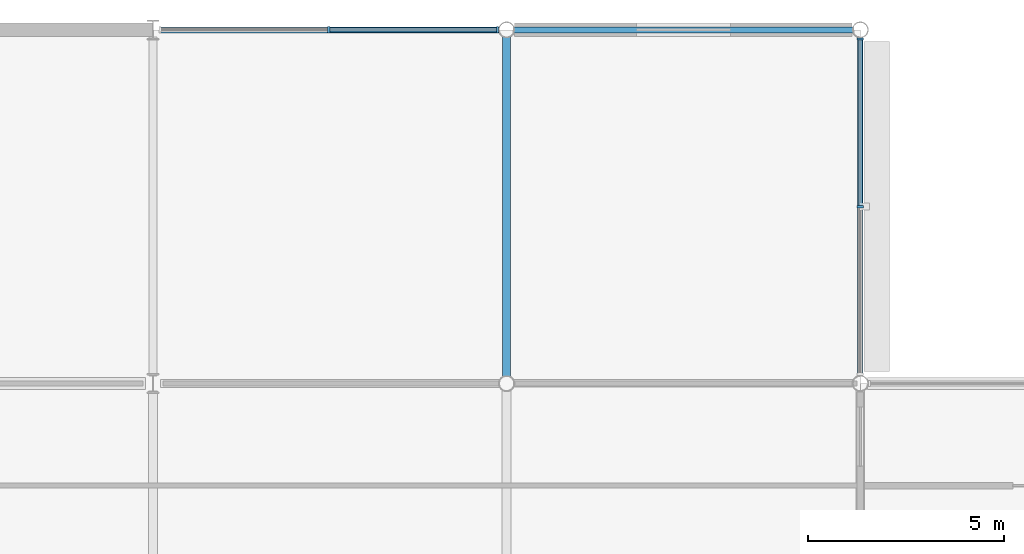
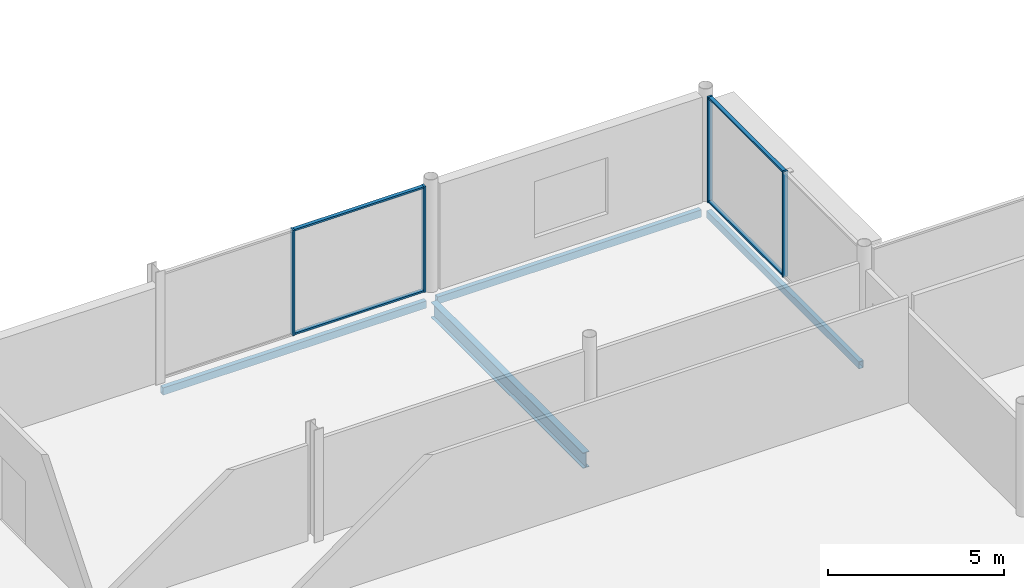
# One storey, part 34 of 96: 8 members, 4 beams, 2 elements without a shape of their own.
"""IFC4 building model written with IfcOpenShell, lengths in metres."""

from ifc_helpers import new_model, si_unit, direction, frame, origin, origin_2d, place, context, subcontext, project, spatial, rectangle, hollow_rectangle, i_section, extrude, material, layer, layer_set, material_profile, profile_set, type_object, element, aggregate, save


model = new_model("IFC4")

# Units and contexts
model_context = context("Model", 3, precision=1e-05, world=origin(), true_north=direction((0.0, 1.0)))
body_context = subcontext(model_context, "Body", "Model", "MODEL_VIEW")
ifc_project = project(units=[si_unit("LENGTHUNIT", "METRE"), si_unit("AREAUNIT", "SQUARE_METRE"), si_unit("VOLUMEUNIT", "CUBIC_METRE"), si_unit("PLANEANGLEUNIT", "RADIAN"), si_unit("MASSUNIT", "GRAM", prefix="KILO")], contexts=[model_context])

# Site, building, storey
site_placement = place(None, origin())
site = spatial("IfcSite", under=ifc_project, at=site_placement, CompositionType="ELEMENT")
building_placement = place(site_placement, origin())
building = spatial("IfcBuilding", under=site, at=building_placement, Name="Kisiwana Market Hall", CompositionType="ELEMENT")
storey_placement = place(building_placement, frame((0.0, 0.0, 25.5)))
storey = spatial("IfcBuildingStorey", under=building, at=storey_placement, Name="L05", CompositionType="ELEMENT", Elevation=25.5)

# Beams
ifc_material_1 = material(Name="Steel S355", Category="steel")
ifc_material_profile_1 = material_profile(ifc_material_1, i_section(OverallWidth=0.209228515625, OverallDepth=0.533203125, WebThickness=0.010009765625, FlangeThickness=0.015625, at=origin_2d()), Name="UB 533x210x92")
ifc_profile_set_1 = profile_set([ifc_material_profile_1], Name="Steel S355")
beam_type_1 = type_object("IfcBeamType", Name="BM-GIRD-UB533", PredefinedType="BEAM", material=ifc_profile_set_1)
beam_1_placement = place(storey_placement, frame((36.0, 102.18017578125, -0.58154296875), z_axis=(0.0, 1.0, 0.0), x_axis=(-1.0, 0.0, 0.0)))
element("IfcBeam", 1, at=beam_1_placement, inside=storey, type_object=beam_type_1, Name="Primary girder B-1536", PredefinedType="BEAM", context=body_context, shape_type="SweptSolid", body=[
    extrude(i_section(OverallWidth=0.209228515625, OverallDepth=0.533203125, WebThickness=0.010009765625, FlangeThickness=0.015625, at=origin_2d()), origin(), (0.0, 0.0, 1.0), 8.6396484375),
])
ifc_material_2 = material(Name="Steel S355", Category="steel")
ifc_material_profile_2 = material_profile(ifc_material_2, hollow_rectangle(XDim=0.14990234375, YDim=0.25, WallThickness=0.010009765625, at=origin_2d()), Name="RHS 250x150x10.0")
ifc_profile_set_2 = profile_set([ifc_material_profile_2], Name="Steel S355")
beam_type_2 = type_object("IfcBeamType", Name="BM-SPAN-RHS250", PredefinedType="SPANDREL", material=ifc_profile_set_2)
beam_2_placement = place(storey_placement, frame((27.193359375, 111.0, -0.43994140625), z_axis=(1.0, 0.0, 0.0), x_axis=(0.0, 1.0, 0.0)))
element("IfcBeam", 2, at=beam_2_placement, inside=storey, type_object=beam_type_2, Name="Floor beam B-1663", PredefinedType="SPANDREL", context=body_context, shape_type="SweptSolid", body=[
    extrude(hollow_rectangle(XDim=0.14990234375, YDim=0.25, WallThickness=0.010009765625, at=origin_2d()), origin(), (0.0, 0.0, 1.0), 8.624267578125),
])
beam_3_placement = place(storey_placement, frame((36.182373046875, 111.0, -0.43994140625), z_axis=(1.0, 0.0, 0.0), x_axis=(0.0, 1.0, 0.0)))
element("IfcBeam", 3, at=beam_3_placement, inside=storey, type_object=beam_type_2, Name="Floor beam B-1664", PredefinedType="SPANDREL", context=body_context, shape_type="SweptSolid", body=[
    extrude(hollow_rectangle(XDim=0.14990234375, YDim=0.25, WallThickness=0.010009765625, at=origin_2d()), origin(), (0.0, 0.0, 1.0), 8.63525390625),
])
beam_4_placement = place(storey_placement, frame((45.0, 102.18017578125, -0.43994140625), z_axis=(0.0, 1.0, 0.0), x_axis=(-1.0, 0.0, 0.0)))
element("IfcBeam", 4, at=beam_4_placement, inside=storey, type_object=beam_type_2, Name="Floor beam B-1682", PredefinedType="SPANDREL", context=body_context, shape_type="SweptSolid", body=[
    extrude(hollow_rectangle(XDim=0.14990234375, YDim=0.25, WallThickness=0.010009765625, at=origin_2d()), origin(), (0.0, 0.0, 1.0), 8.6396484375),
])

# Curtain wall, members
ifc_material_3 = material(Name="Double-glazed solar-control low-E IGU", Category="glass")
ifc_layer = layer(ifc_material_3, 0.159912109375)
ifc_layer_set = layer_set([ifc_layer], Name="CW-ZNA-EW-8200")
curtain_wall_type = type_object("IfcCurtainWallType", Name="CW-ZNA-EW-8200", PredefinedType="USERDEFINED", material=ifc_layer_set)
curtain_wall_1_placement = place(storey_placement, origin())
curtain_wall_1 = element("IfcCurtainWall", 5, at=curtain_wall_1_placement, inside=storey, type_object=curtain_wall_type, Name="Unitised curtain wall CW-157 (L05)", ObjectType="UNITISED CURTAIN WALL", PredefinedType="USERDEFINED")
ifc_material_4 = material(Name="Aluminium alloy 6063-T6", Category="aluminium")
ifc_material_profile_3 = material_profile(ifc_material_4, rectangle(XDim=0.06005859375, YDim=0.159912109375, at=origin_2d()), Name="ALU MULLION 60x160")
ifc_profile_set_3 = profile_set([ifc_material_profile_3], Name="Aluminium alloy 6063-T6")
member_type_1 = type_object("IfcMemberType", Name="CW-MULL-60x160", PredefinedType="MULLION", material=ifc_profile_set_3)
member_1_placement = place(storey_placement, frame((31.473388671875, 111.0, 0.0), z_axis=(0.0, 0.0, 1.0), x_axis=(1.0, 0.0, 0.0)))
member_1 = element("IfcMember", 6, at=member_1_placement, type_object=member_type_1, Name="CW-157 mullion 2", PredefinedType="MULLION", context=body_context, shape_type="SweptSolid", body=[
    extrude(rectangle(XDim=0.06005859375, YDim=0.159912109375, at=origin_2d()), origin(), (0.0, 0.0, 1.0), 3.655029296875),
])
member_2_placement = place(storey_placement, frame((35.766845703125, 111.0, 0.0), z_axis=(0.0, 0.0, 1.0), x_axis=(1.0, 0.0, 0.0)))
member_2 = element("IfcMember", 7, at=member_2_placement, type_object=member_type_1, Name="CW-157 mullion 3", PredefinedType="MULLION", context=body_context, shape_type="SweptSolid", body=[
    extrude(rectangle(XDim=0.06005859375, YDim=0.159912109375, at=origin_2d()), origin(), (0.0, 0.0, 1.0), 3.655029296875),
])

curtain_wall_2_placement = place(storey_placement, origin())
curtain_wall_2 = element("IfcCurtainWall", 8, at=curtain_wall_2_placement, inside=storey, type_object=curtain_wall_type, Name="Unitised curtain wall CW-163 (L05)", ObjectType="UNITISED CURTAIN WALL", PredefinedType="USERDEFINED")
member_3_placement = place(storey_placement, frame((45.0, 106.5, 0.0), z_axis=(0.0, 0.0, 1.0), x_axis=(0.0, 1.0, 0.0)))
member_3 = element("IfcMember", 9, at=member_3_placement, type_object=member_type_1, Name="CW-163 mullion 2", PredefinedType="MULLION", context=body_context, shape_type="SweptSolid", body=[
    extrude(rectangle(XDim=0.06005859375, YDim=0.159912109375, at=origin_2d()), origin(), (0.0, 0.0, 1.0), 3.655029296875),
])
member_4_placement = place(storey_placement, frame((45.0, 110.766845703125, 0.0), z_axis=(0.0, 0.0, 1.0), x_axis=(0.0, 1.0, 0.0)))
member_4 = element("IfcMember", 10, at=member_4_placement, type_object=member_type_1, Name="CW-163 mullion 3", PredefinedType="MULLION", context=body_context, shape_type="SweptSolid", body=[
    extrude(rectangle(XDim=0.06005859375, YDim=0.159912109375, at=origin_2d()), origin(), (0.0, 0.0, 1.0), 3.655029296875),
])

# Member
ifc_material_5 = material(Name="Aluminium alloy 6063-T6", Category="aluminium")
ifc_material_profile_4 = material_profile(ifc_material_5, rectangle(XDim=0.1201171875, YDim=0.06005859375, at=origin_2d()), Name="ALU TRANSOM 60x120")
ifc_profile_set_4 = profile_set([ifc_material_profile_4], Name="Aluminium alloy 6063-T6")
member_type_2 = type_object("IfcMemberType", Name="CW-TRAN-60x120", PredefinedType="USERDEFINED", material=ifc_profile_set_4)
member_5_placement = place(storey_placement, frame((31.50341796875, 111.0, 0.030029296875), z_axis=(1.0, 0.0, 0.0), x_axis=(0.0, 1.0, 0.0)))
member_5 = element("IfcMember", 11, at=member_5_placement, type_object=member_type_2, Name="CW-157 transom 2.1", ObjectType="TRANSOM", PredefinedType="USERDEFINED", context=body_context, shape_type="SweptSolid", body=[
    extrude(rectangle(XDim=0.1201171875, YDim=0.06005859375, at=origin_2d()), origin(), (0.0, 0.0, 1.0), 4.2333984375),
])

member_6_placement = place(storey_placement, frame((31.50341796875, 111.0, 3.625), z_axis=(1.0, 0.0, 0.0), x_axis=(0.0, 1.0, 0.0)))
member_6 = element("IfcMember", 12, at=member_6_placement, type_object=member_type_2, Name="CW-157 transom 2.2", ObjectType="TRANSOM", PredefinedType="USERDEFINED", context=body_context, shape_type="SweptSolid", body=[
    extrude(rectangle(XDim=0.1201171875, YDim=0.06005859375, at=origin_2d()), origin(), (0.0, 0.0, 1.0), 4.2333984375),
])

aggregate(curtain_wall_1, [member_1, member_2, member_5, member_6])

member_7_placement = place(storey_placement, frame((45.0, 106.530029296875, 0.030029296875), z_axis=(0.0, 1.0, 0.0), x_axis=(-1.0, 0.0, 0.0)))
member_7 = element("IfcMember", 13, at=member_7_placement, type_object=member_type_2, Name="CW-163 transom 2.1", ObjectType="TRANSOM", PredefinedType="USERDEFINED", context=body_context, shape_type="SweptSolid", body=[
    extrude(rectangle(XDim=0.1201171875, YDim=0.06005859375, at=origin_2d()), origin(), (0.0, 0.0, 1.0), 4.206787109375),
])

member_8_placement = place(storey_placement, frame((45.0, 106.530029296875, 3.625), z_axis=(0.0, 1.0, 0.0), x_axis=(-1.0, 0.0, 0.0)))
member_8 = element("IfcMember", 14, at=member_8_placement, type_object=member_type_2, Name="CW-163 transom 2.2", ObjectType="TRANSOM", PredefinedType="USERDEFINED", context=body_context, shape_type="SweptSolid", body=[
    extrude(rectangle(XDim=0.1201171875, YDim=0.06005859375, at=origin_2d()), origin(), (0.0, 0.0, 1.0), 4.206787109375),
])

aggregate(curtain_wall_2, [member_3, member_4, member_7, member_8])

save(model, "model.ifc")
